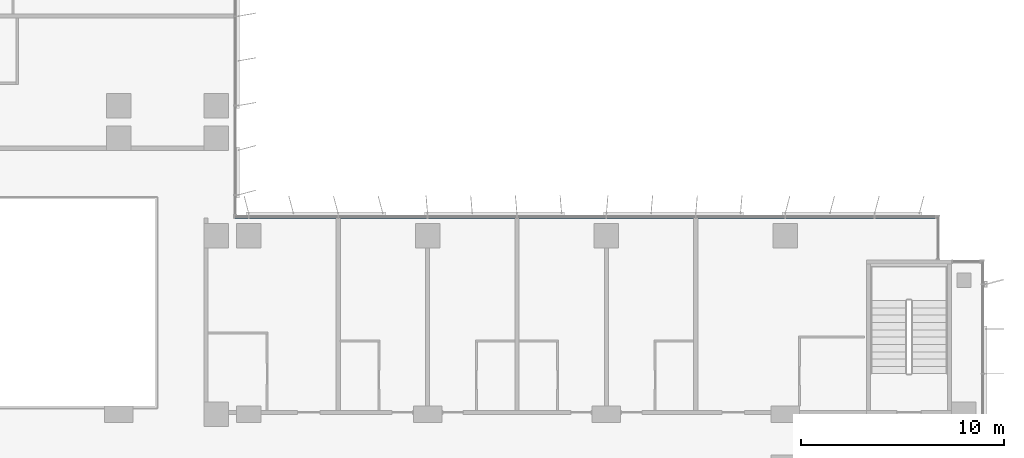
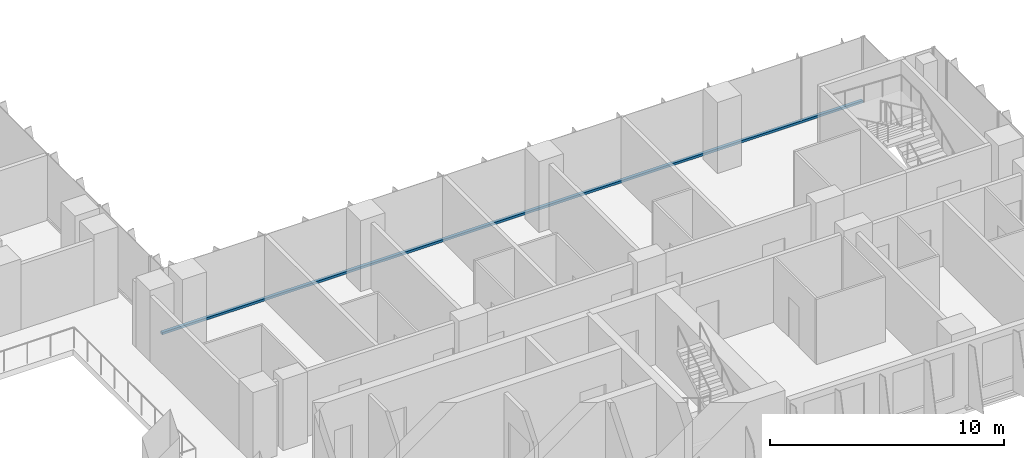
# One storey, part 3 of 23: 1 member, 1 element without a shape of its own.
"""IFC4 building model written with IfcOpenShell, lengths in metres."""

from ifc_helpers import new_model, si_unit, direction, frame, origin, origin_2d, place, context, subcontext, project, spatial, rectangle, extrude, material, material_profile, profile_set, type_object, element, aggregate, save


model = new_model("IFC4")

# Units and contexts
model_context = context("Model", 3, precision=1e-05, world=origin(), true_north=direction((0.0, 1.0)))
body_context = subcontext(model_context, "Body", "Model", "MODEL_VIEW")
ifc_project = project(units=[si_unit("LENGTHUNIT", "METRE"), si_unit("AREAUNIT", "SQUARE_METRE"), si_unit("VOLUMEUNIT", "CUBIC_METRE"), si_unit("PLANEANGLEUNIT", "RADIAN"), si_unit("MASSUNIT", "GRAM", prefix="KILO")], contexts=[model_context])

# Site, building, storey
site_placement = place(None, origin())
site = spatial("IfcSite", under=ifc_project, at=site_placement, CompositionType="ELEMENT")
building_placement = place(site_placement, origin())
building = spatial("IfcBuilding", under=site, at=building_placement, Name="Kemantara Hotel Tower", CompositionType="ELEMENT")
storey_placement = place(building_placement, frame((0.0, 0.0, 142.0)))
storey = spatial("IfcBuildingStorey", under=building, at=storey_placement, Name="L34", CompositionType="ELEMENT", Elevation=142.0)

# Curtain wall, member
ifc_material_1 = material(Name="Low-E tinted double insulated glass 36 mm", Category="glass")
curtain_wall_type = type_object("IfcCurtainWallType", Name="TOWER CURTAIN WALL, FRONT FACES", PredefinedType="USERDEFINED", material=ifc_material_1)
curtain_wall_placement = place(storey_placement, origin())
curtain_wall = element("IfcCurtainWall", 1, at=curtain_wall_placement, inside=storey, type_object=curtain_wall_type, Name="CW4 L34 T2-R13-1", ObjectType="TOWER CURTAIN WALL, FRONT FACES", PredefinedType="USERDEFINED")
ifc_material_2 = material(Name="Aluminium 6063-T6 bronze anodised", Category="aluminium")
ifc_material_profile = material_profile(ifc_material_2, rectangle(XDim=0.14990234375, YDim=0.1201171875, at=origin_2d()), Name="TOWER CURTAIN WALL, FRONT FACES TRANSOM")
ifc_profile_set = profile_set([ifc_material_profile], Name="Aluminium 6063-T6 bronze anodised")
member_type = type_object("IfcMemberType", Name="TOWER CURTAIN WALL, FRONT FACES TRANSOM", PredefinedType="USERDEFINED", material=ifc_profile_set)
member_placement = place(storey_placement, frame((61.25, 21.925048828125, 0.06005859375), z_axis=(-1.0, 0.0, 0.0), x_axis=(0.0, -1.0, 0.0)))
member = element("IfcMember", 2, at=member_placement, type_object=member_type, Name="CW4 sill transom T2-R13-1", ObjectType="TRANSOM", PredefinedType="USERDEFINED", context=body_context, shape_type="SweptSolid", body=[
    extrude(rectangle(XDim=0.14990234375, YDim=0.1201171875, at=origin_2d()), origin(), (0.0, 0.0, 1.0), 34.60009765625),
])
aggregate(curtain_wall, [member])

save(model, "model.ifc")
